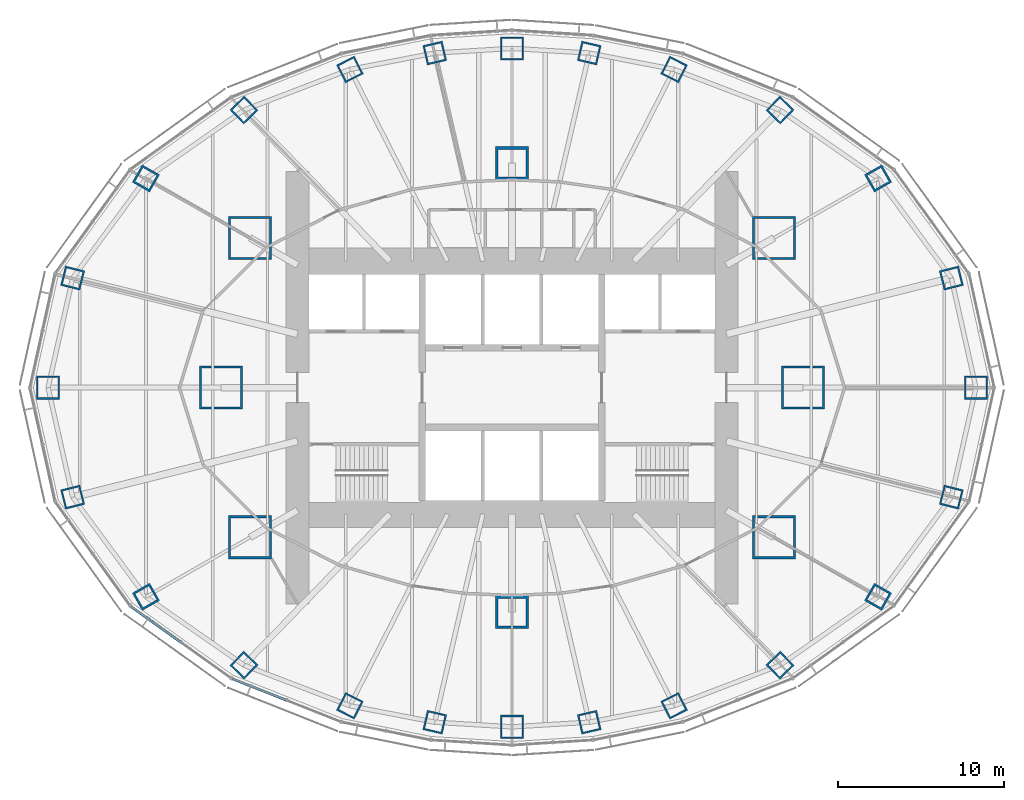
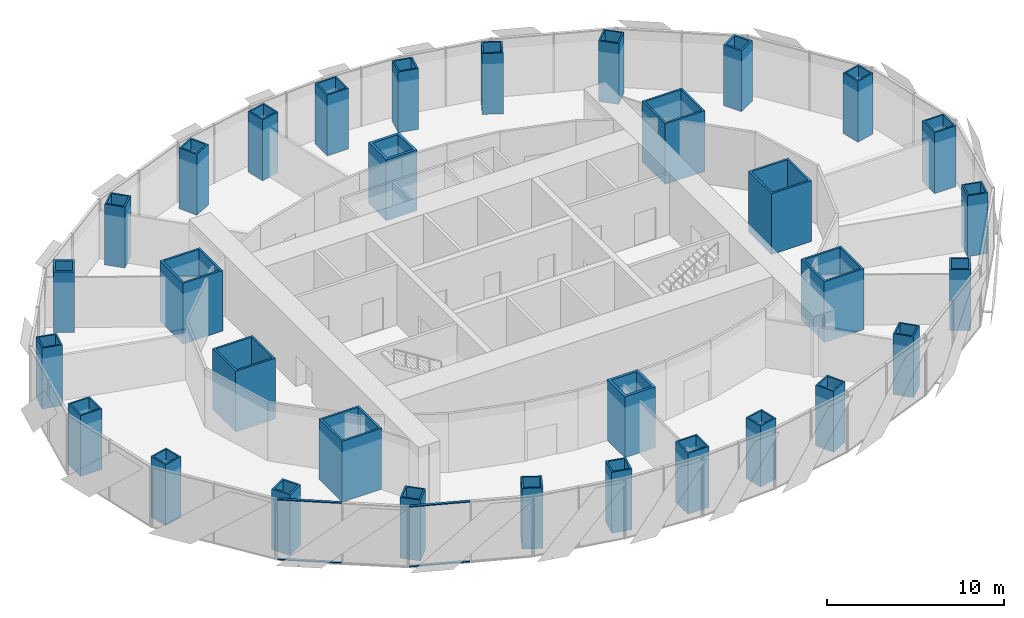
# One storey, part 1 of 18: 32 columns, 4 members, 2 elements without a shape of their own.
"""IFC4 building model written with IfcOpenShell, lengths in metres."""

from ifc_helpers import new_model, si_unit, direction, frame, origin, origin_2d, place, context, subcontext, project, spatial, rectangle, hollow_rectangle, extrude, material, material_profile, profile_set, type_object, element, aggregate, save


model = new_model("IFC4")

# Units and contexts
model_context = context("Model", 3, precision=1e-05, world=origin(), true_north=direction((0.0, 1.0)))
body_context = subcontext(model_context, "Body", "Model", "MODEL_VIEW")
ifc_project = project(units=[si_unit("LENGTHUNIT", "METRE"), si_unit("AREAUNIT", "SQUARE_METRE"), si_unit("VOLUMEUNIT", "CUBIC_METRE"), si_unit("PLANEANGLEUNIT", "RADIAN"), si_unit("MASSUNIT", "GRAM", prefix="KILO")], contexts=[model_context])

# Site, building, storey
site_placement = place(None, origin())
site = spatial("IfcSite", under=ifc_project, at=site_placement, CompositionType="ELEMENT")
building_placement = place(site_placement, origin())
building = spatial("IfcBuilding", under=site, at=building_placement, Name="Lantaw Convention Tower", CompositionType="ELEMENT")
storey_placement = place(building_placement, frame((0.0, 0.0, 130.0)))
storey = spatial("IfcBuildingStorey", under=building, at=storey_placement, Name="L30", CompositionType="ELEMENT", Elevation=130.0)

# Columns
ifc_material_1 = material(Name="Steel EN 10025-3 S460N", Category="steel")
ifc_material_profile_1 = material_profile(ifc_material_1, hollow_rectangle(XDim=2.0, YDim=2.0, WallThickness=0.169921875, at=origin_2d()), Name="BOX2000X170")
ifc_material_2 = material(Name="Concrete C60/75", Category="concrete")
ifc_material_profile_2 = material_profile(ifc_material_2, rectangle(XDim=1.659912109375, YDim=1.659912109375, at=origin_2d()), Name="Concrete fill of BOX2000X170")
ifc_profile_set_1 = profile_set([ifc_material_profile_1, ifc_material_profile_2], Name="Steel EN 10025-3 S460N")
column_type_1 = type_object("IfcColumnType", Name="Column MC BOX2000X170", PredefinedType="COLUMN", material=ifc_profile_set_1)
for number, where, z_axis, x_axis, name in (
    (1, (0.0, 13.5, 0.0), (0.0, 0.0, 1.0), (1.0, 0.0, 0.0), "Mega column M3"),
    (2, (0.0, -13.5, 0.0), (0.0, 0.0, 1.0), (1.0, 0.0, 0.0), "Mega column M7"),
):
    element("IfcColumn", number, at=place(storey_placement, frame(where, z_axis=z_axis, x_axis=x_axis)), inside=storey, type_object=column_type_1, Name=name, PredefinedType="COLUMN", context=body_context, shape_type="SweptSolid", body=[
        extrude(hollow_rectangle(XDim=2.0, YDim=2.0, WallThickness=0.169921875, at=origin_2d()), origin(), (0.0, 0.0, 1.0), 4.199951171875),
    ])
ifc_material_profile_3 = material_profile(ifc_material_1, hollow_rectangle(XDim=2.60009765625, YDim=2.60009765625, WallThickness=0.1298828125, at=origin_2d()), Name="BOX2600X130")
ifc_material_profile_4 = material_profile(ifc_material_2, rectangle(XDim=2.340087890625, YDim=2.340087890625, at=origin_2d()), Name="Concrete fill of BOX2600X130")
ifc_profile_set_2 = profile_set([ifc_material_profile_3, ifc_material_profile_4], Name="Steel EN 10025-3 S460N")
column_type_2 = type_object("IfcColumnType", Name="Column MC BOX2600X130", PredefinedType="COLUMN", material=ifc_profile_set_2)
for number, where, z_axis, x_axis, name in (
    (3, (17.5, 0.0, 0.0), (0.0, 0.0, 1.0), (1.0, 0.0, 0.0), "Mega column M1"),
    (4, (15.75, 9.0, 0.0), (0.0, 0.0, 1.0), (1.0, 0.0, 0.0), "Mega column M2"),
    (5, (-15.75, 9.0, 0.0), (0.0, 0.0, 1.0), (1.0, 0.0, 0.0), "Mega column M4"),
    (6, (-17.5, 0.0, 0.0), (0.0, 0.0, 1.0), (1.0, 0.0, 0.0), "Mega column M5"),
    (7, (-15.75, -9.0, 0.0), (0.0, 0.0, 1.0), (1.0, 0.0, 0.0), "Mega column M6"),
    (8, (15.75, -9.0, 0.0), (0.0, 0.0, 1.0), (1.0, 0.0, 0.0), "Mega column M8"),
):
    element("IfcColumn", number, at=place(storey_placement, frame(where, z_axis=z_axis, x_axis=x_axis)), inside=storey, type_object=column_type_2, Name=name, PredefinedType="COLUMN", context=body_context, shape_type="SweptSolid", body=[
        extrude(hollow_rectangle(XDim=2.60009765625, YDim=2.60009765625, WallThickness=0.1298828125, at=origin_2d()), origin(), (0.0, 0.0, 1.0), 4.199951171875),
    ])
ifc_material_profile_5 = material_profile(ifc_material_1, hollow_rectangle(XDim=1.199951171875, YDim=1.199951171875, WallThickness=0.10009765625, at=origin_2d()), Name="BOX1200X100")
ifc_material_profile_6 = material_profile(ifc_material_2, rectangle(XDim=1.0, YDim=1.0, at=origin_2d()), Name="Concrete fill of BOX1200X100")
ifc_profile_set_3 = profile_set([ifc_material_profile_5, ifc_material_profile_6], Name="Steel EN 10025-3 S460N")
column_type_3 = type_object("IfcColumnType", Name="Column PC BOX1200X100", PredefinedType="COLUMN", material=ifc_profile_set_3)
for number, where, z_axis, x_axis, name in (
    (9, (26.419921875, 6.587158203125, 0.0), (0.0, 0.0, 1.0), (0.970295726276, 0.2419218956, 0.0), "Perimeter column P2"),
    (10, (16.11767578125, 16.690185546875, 0.0), (0.0, 0.0, 1.0), (0.694658370459, 0.719339800339, 0.0), "Perimeter column P4"),
    (11, (9.74853515625, 19.1328125, 0.0), (0.0, 0.0, 1.0), (0.45399049974, 0.891006524188, 0.0), "Perimeter column P5"),
    (12, (4.64501953125, 20.1201171875, 0.0), (0.0, 0.0, 1.0), (0.224951054344, 0.974370064785, 0.0), "Perimeter column P6"),
    (13, (-4.64501953125, 20.1201171875, 0.0), (0.0, 0.0, 1.0), (0.974370064785, 0.224951054344, 0.0), "Perimeter column P8"),
    (14, (-9.74853515625, 19.1328125, 0.0), (0.0, 0.0, 1.0), (0.891006524188, 0.45399049974, 0.0), "Perimeter column P9"),
    (15, (-16.11767578125, 16.690185546875, 0.0), (0.0, 0.0, 1.0), (0.719339800339, 0.694658370459, 0.0), "Perimeter column P10"),
    (16, (-26.419921875, 6.587158203125, 0.0), (0.0, 0.0, 1.0), (0.2419218956, 0.970295726276, 0.0), "Perimeter column P12"),
    (17, (-26.419921875, -6.587158203125, 0.0), (0.0, 0.0, 1.0), (0.970295726276, 0.2419218956, 0.0), "Perimeter column P14"),
    (18, (-16.11767578125, -16.690185546875, 0.0), (0.0, 0.0, 1.0), (0.694658370459, 0.719339800339, 0.0), "Perimeter column P16"),
    (19, (-9.74853515625, -19.1328125, 0.0), (0.0, 0.0, 1.0), (0.45399049974, 0.891006524188, 0.0), "Perimeter column P17"),
    (20, (-4.64501953125, -20.1201171875, 0.0), (0.0, 0.0, 1.0), (0.224951054344, 0.974370064785, 0.0), "Perimeter column P18"),
    (21, (4.64501953125, -20.1201171875, 0.0), (0.0, 0.0, 1.0), (0.974370064785, 0.224951054344, 0.0), "Perimeter column P20"),
    (22, (9.74853515625, -19.1328125, 0.0), (0.0, 0.0, 1.0), (0.891006524188, 0.45399049974, 0.0), "Perimeter column P21"),
    (23, (16.11767578125, -16.690185546875, 0.0), (0.0, 0.0, 1.0), (0.719339800339, 0.694658370459, 0.0), "Perimeter column P22"),
    (24, (26.419921875, -6.587158203125, 0.0), (0.0, 0.0, 1.0), (0.2419218956, 0.970295726276, 0.0), "Perimeter column P24"),
):
    element("IfcColumn", number, at=place(storey_placement, frame(where, z_axis=z_axis, x_axis=x_axis)), inside=storey, type_object=column_type_3, Name=name, PredefinedType="COLUMN", context=body_context, shape_type="SweptSolid", body=[
        extrude(hollow_rectangle(XDim=1.199951171875, YDim=1.199951171875, WallThickness=0.10009765625, at=origin_2d()), origin(), (0.0, 0.0, 1.0), 4.199951171875),
    ])
ifc_material_profile_7 = material_profile(ifc_material_1, hollow_rectangle(XDim=1.199951171875, YDim=1.199951171875, WallThickness=0.1201171875, at=origin_2d()), Name="BOX1200X120")
ifc_material_profile_8 = material_profile(ifc_material_2, rectangle(XDim=0.9599609375, YDim=0.9599609375, at=origin_2d()), Name="Concrete fill of BOX1200X120")
ifc_profile_set_4 = profile_set([ifc_material_profile_7, ifc_material_profile_8], Name="Steel EN 10025-3 S460N")
column_type_4 = type_object("IfcColumnType", Name="Column PC BOX1200X120", PredefinedType="COLUMN", material=ifc_profile_set_4)
for number, where, z_axis, x_axis, name in (
    (25, (22.013916015625, 12.579345703125, 0.0), (0.0, 0.0, 1.0), (0.86824298017, 0.496139221777, 0.0), "Perimeter column P3"),
    (26, (-22.013916015625, 12.579345703125, 0.0), (0.0, 0.0, 1.0), (0.496139221777, 0.86824298017, 0.0), "Perimeter column P11"),
    (27, (-22.013916015625, -12.579345703125, 0.0), (0.0, 0.0, 1.0), (0.86824298017, 0.496139221777, 0.0), "Perimeter column P15"),
    (28, (22.013916015625, -12.579345703125, 0.0), (0.0, 0.0, 1.0), (0.496139221777, 0.86824298017, 0.0), "Perimeter column P23"),
):
    element("IfcColumn", number, at=place(storey_placement, frame(where, z_axis=z_axis, x_axis=x_axis)), inside=storey, type_object=column_type_4, Name=name, PredefinedType="COLUMN", context=body_context, shape_type="SweptSolid", body=[
        extrude(hollow_rectangle(XDim=1.199951171875, YDim=1.199951171875, WallThickness=0.1201171875, at=origin_2d()), origin(), (0.0, 0.0, 1.0), 4.199951171875),
    ])
ifc_material_profile_9 = material_profile(ifc_material_1, hollow_rectangle(XDim=1.39990234375, YDim=1.39990234375, WallThickness=0.10009765625, at=origin_2d()), Name="BOX1400X100")
ifc_material_profile_10 = material_profile(ifc_material_2, rectangle(XDim=1.199951171875, YDim=1.199951171875, at=origin_2d()), Name="Concrete fill of BOX1400X100")
ifc_profile_set_5 = profile_set([ifc_material_profile_9, ifc_material_profile_10], Name="Steel EN 10025-3 S460N")
column_type_5 = type_object("IfcColumnType", Name="Column PC BOX1400X100", PredefinedType="COLUMN", material=ifc_profile_set_5)
for number, where, z_axis, x_axis, name in (
    (29, (27.89990234375, 0.0, 0.0), (0.0, 0.0, 1.0), (1.0, 0.0, 0.0), "Perimeter column P1"),
    (30, (0.0, 20.39990234375, 0.0), (0.0, 0.0, 1.0), (1.0, 0.0, 0.0), "Perimeter column P7"),
    (31, (-27.89990234375, 0.0, 0.0), (0.0, 0.0, 1.0), (1.0, 0.0, 0.0), "Perimeter column P13"),
    (32, (0.0, -20.39990234375, 0.0), (0.0, 0.0, 1.0), (1.0, 0.0, 0.0), "Perimeter column P19"),
):
    element("IfcColumn", number, at=place(storey_placement, frame(where, z_axis=z_axis, x_axis=x_axis)), inside=storey, type_object=column_type_5, Name=name, PredefinedType="COLUMN", context=body_context, shape_type="SweptSolid", body=[
        extrude(hollow_rectangle(XDim=1.39990234375, YDim=1.39990234375, WallThickness=0.10009765625, at=origin_2d()), origin(), (0.0, 0.0, 1.0), 4.199951171875),
    ])

# Curtain wall, members
ifc_material_3 = material(Name="Aluminium framed curtain wall", Category="aluminium")
curtain_wall_type = type_object("IfcCurtainWallType", Name="Office curtain wall low rise, pale aluminium", PredefinedType="USERDEFINED", material=ifc_material_3)
curtain_wall_1_placement = place(storey_placement, origin())
curtain_wall_1 = element("IfcCurtainWall", 33, at=curtain_wall_1_placement, inside=storey, type_object=curtain_wall_type, Name="Office curtain wall low rise, pale aluminium L30", ObjectType="UNITISED CURTAIN WALL", PredefinedType="USERDEFINED")
ifc_material_4 = material(Name="Aluminium 6063-T6", Category="aluminium")
ifc_material_profile_11 = material_profile(ifc_material_4, rectangle(XDim=0.159912109375, YDim=0.06494140625, at=origin_2d()), Name="CW-O1 transom 65x160")
ifc_profile_set_6 = profile_set([ifc_material_profile_11], Name="Aluminium 6063-T6")
member_type = type_object("IfcMemberType", Name="CW-O1 transom 65x160", PredefinedType="USERDEFINED", material=ifc_profile_set_6)
member_1_placement = place(storey_placement, frame((-22.916259765625, -13.1630859375, -0.117431640625), z_axis=(0.813221785972, -0.581953887194, 0.0), x_axis=(0.581953887194, 0.813221785972, 0.0)))
member_1 = element("IfcMember", 34, at=member_1_placement, type_object=member_type, Name="CW-O1 transom 1.1", ObjectType="TRANSOM", PredefinedType="USERDEFINED", context=body_context, shape_type="SweptSolid", body=[
    extrude(rectangle(XDim=0.159912109375, YDim=0.06494140625, at=origin_2d()), origin(), (0.0, 0.0, 1.0), 3.645263671875),
])
member_2_placement = place(storey_placement, frame((-22.916259765625, -13.1630859375, 4.017578125), z_axis=(0.813221785972, -0.581953887194, 0.0), x_axis=(0.581953887194, 0.813221785972, 0.0)))
member_2 = element("IfcMember", 35, at=member_2_placement, type_object=member_type, Name="CW-O1 transom 1.2", ObjectType="TRANSOM", PredefinedType="USERDEFINED", context=body_context, shape_type="SweptSolid", body=[
    extrude(rectangle(XDim=0.159912109375, YDim=0.06494140625, at=origin_2d()), origin(), (0.0, 0.0, 1.0), 3.645263671875),
])
aggregate(curtain_wall_1, [member_1, member_2])

curtain_wall_2_placement = place(storey_placement, origin())
curtain_wall_2 = element("IfcCurtainWall", 36, at=curtain_wall_2_placement, inside=storey, type_object=curtain_wall_type, Name="Office curtain wall low rise, pale aluminium L30", ObjectType="UNITISED CURTAIN WALL", PredefinedType="USERDEFINED")
member_3_placement = place(storey_placement, frame((-16.8212890625, -17.505615234375, -0.117431640625), z_axis=(0.929564188507, -0.368660303592, 0.0), x_axis=(0.368660303592, 0.929564188507, 0.0)))
member_3 = element("IfcMember", 37, at=member_3_placement, type_object=member_type, Name="CW-O1 transom 1.1", ObjectType="TRANSOM", PredefinedType="USERDEFINED", context=body_context, shape_type="SweptSolid", body=[
    extrude(rectangle(XDim=0.159912109375, YDim=0.06494140625, at=origin_2d()), origin(), (0.0, 0.0, 1.0), 3.470703125),
])
member_4_placement = place(storey_placement, frame((-16.8212890625, -17.505615234375, 4.017578125), z_axis=(0.929564188507, -0.368660303592, 0.0), x_axis=(0.368660303592, 0.929564188507, 0.0)))
member_4 = element("IfcMember", 38, at=member_4_placement, type_object=member_type, Name="CW-O1 transom 1.2", ObjectType="TRANSOM", PredefinedType="USERDEFINED", context=body_context, shape_type="SweptSolid", body=[
    extrude(rectangle(XDim=0.159912109375, YDim=0.06494140625, at=origin_2d()), origin(), (0.0, 0.0, 1.0), 3.470703125),
])
aggregate(curtain_wall_2, [member_3, member_4])

save(model, "model.ifc")
